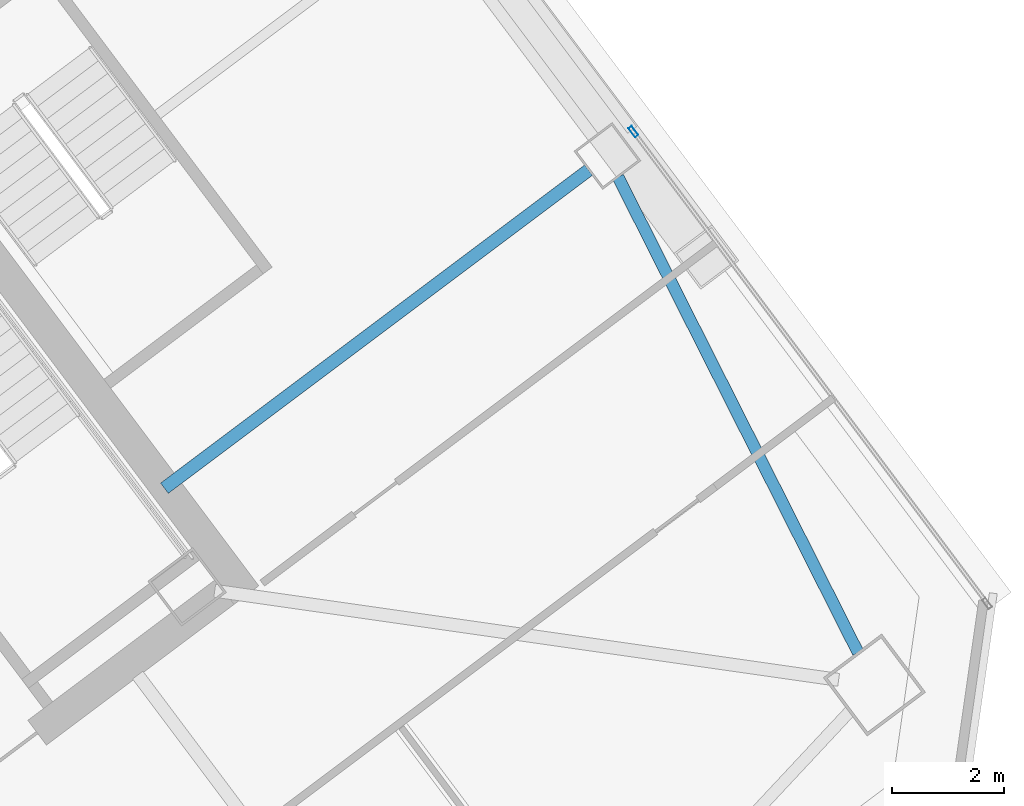
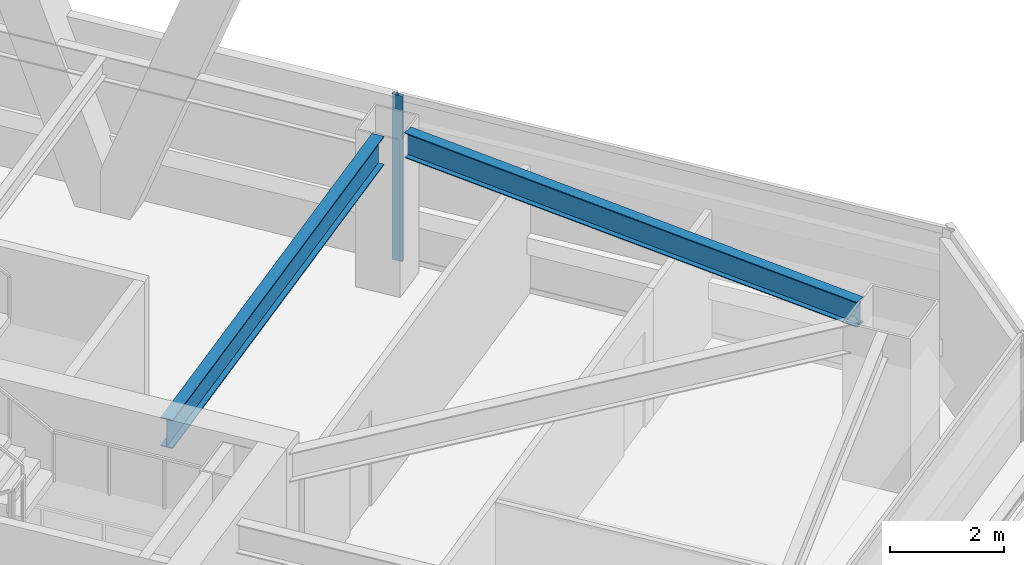
# One storey, part 30 of 50: 2 beams, 1 member, 1 element without a shape of its own.
"""IFC4 building model written with IfcOpenShell, lengths in metres."""

from ifc_helpers import new_model, si_unit, direction, frame, origin, origin_2d, place, context, subcontext, project, spatial, hollow_rectangle, i_section, extrude, material, material_profile, profile_set, type_object, element, aggregate, save


model = new_model("IFC4")

# Units and contexts
model_context = context("Model", 3, precision=1e-05, world=origin(), true_north=direction((0.0, 1.0)))
body_context = subcontext(model_context, "Body", "Model", "MODEL_VIEW")
ifc_project = project(units=[si_unit("LENGTHUNIT", "METRE"), si_unit("AREAUNIT", "SQUARE_METRE"), si_unit("VOLUMEUNIT", "CUBIC_METRE"), si_unit("PLANEANGLEUNIT", "RADIAN"), si_unit("MASSUNIT", "GRAM", prefix="KILO")], contexts=[model_context])

# Site, building, storey
site_placement = place(None, origin())
site = spatial("IfcSite", under=ifc_project, at=site_placement, CompositionType="ELEMENT")
building_placement = place(site_placement, origin())
building = spatial("IfcBuilding", under=site, at=building_placement, Name="Tashvorn Skyway Center", CompositionType="ELEMENT")
storey_placement = place(building_placement, frame((0.0, 0.0, 114.39990234375)))
storey = spatial("IfcBuildingStorey", under=building, at=storey_placement, Name="L30", CompositionType="ELEMENT", Elevation=114.39990234375)

# Beams
ifc_material_1 = material(Name="Steel ASTM A992 Grade 50", Category="steel")
ifc_material_profile_1 = material_profile(ifc_material_1, i_section(OverallWidth=0.22998046875, OverallDepth=0.616943359375, WebThickness=0.01318359375, FlangeThickness=0.022216796875, at=origin_2d()), Name="W24X94")
ifc_profile_set_1 = profile_set([ifc_material_profile_1], Name="Steel ASTM A992 Grade 50")
beam_type_1 = type_object("IfcBeamType", Name="BM-BEAM-W24X94", PredefinedType="BEAM", material=ifc_profile_set_1)
beam_1_placement = place(storey_placement, frame((131.02392578125, 38.01806640625, 3.0615234375), z_axis=(-0.799984498661, -0.600020667896, 0.0), x_axis=(0.600020667896, -0.799984498661, 0.0)))
element("IfcBeam", 1, at=beam_1_placement, inside=storey, type_object=beam_type_1, Name="Tower 2 L30 Primary Floor Girder FC-E1", PredefinedType="BEAM", context=body_context, shape_type="SweptSolid", body=[
    extrude(i_section(OverallWidth=0.22998046875, OverallDepth=0.616943359375, WebThickness=0.01318359375, FlangeThickness=0.022216796875, at=origin_2d()), origin(), (0.0, 0.0, 1.0), 9.449951171875),
])
ifc_material_profile_2 = material_profile(ifc_material_1, i_section(OverallWidth=0.2109375, OverallDepth=0.5390625, WebThickness=0.01171875, FlangeThickness=0.018798828125, at=origin_2d()), Name="W21X73")
ifc_profile_set_2 = profile_set([ifc_material_profile_2], Name="Steel ASTM A992 Grade 50")
beam_type_2 = type_object("IfcBeamType", Name="BM-SPANDREL-W21X73", PredefinedType="SPANDREL", material=ifc_profile_set_2)
beam_2_placement = place(storey_placement, frame((135.829345703125, 29.415771484375, 3.1005859375), z_axis=(-0.450613543136, 0.892719124217, 0.0), x_axis=(-0.892719124217, -0.450613543136, 0.0)))
element("IfcBeam", 2, at=beam_2_placement, inside=storey, type_object=beam_type_2, Name="Tower 2 L30 Spandrel Beam 04", PredefinedType="SPANDREL", context=body_context, shape_type="SweptSolid", body=[
    extrude(i_section(OverallWidth=0.2109375, OverallDepth=0.5390625, WebThickness=0.01171875, FlangeThickness=0.018798828125, at=origin_2d()), origin(), (0.0, 0.0, 1.0), 9.498291015625),
])

# Curtain wall, member
ifc_material_2 = material(Name="Thermally broken bronze-anodized aluminium 6063-T6", Category="aluminium")
curtain_wall_type = type_object("IfcCurtainWallType", Name="CW-CW-Z3", PredefinedType="NOTDEFINED", material=ifc_material_2)
curtain_wall_placement = place(storey_placement, origin())
curtain_wall = element("IfcCurtainWall", 3, at=curtain_wall_placement, inside=storey, type_object=curtain_wall_type, Name="Tower 2 L30 East Unitised Curtain Wall Glazing Group 2", PredefinedType="NOTDEFINED")
ifc_material_profile_3 = material_profile(ifc_material_2, hollow_rectangle(XDim=0.074951171875, YDim=0.199951171875, WallThickness=0.00439453125, at=origin_2d()), Name="ALU-MULL-75x200")
ifc_profile_set_3 = profile_set([ifc_material_profile_3], Name="Thermally broken bronze-anodized aluminium 6063-T6")
member_type = type_object("IfcMemberType", Name="CWM-CW-Z3", PredefinedType="MULLION", material=ifc_profile_set_3)
member_placement = place(storey_placement, frame((131.822509765625, 38.703369140625, 0.0), z_axis=(0.0, 0.0, 1.0), x_axis=(0.799998866489, 0.600001511345, 0.0)))
member = element("IfcMember", 4, at=member_placement, type_object=member_type, Name="CW-Z3 mullion 1", PredefinedType="MULLION", context=body_context, shape_type="SweptSolid", body=[
    extrude(hollow_rectangle(XDim=0.074951171875, YDim=0.199951171875, WallThickness=0.00439453125, at=origin_2d()), origin(), (0.0, 0.0, 1.0), 3.550048828125),
])
aggregate(curtain_wall, [member])

save(model, "model.ifc")
